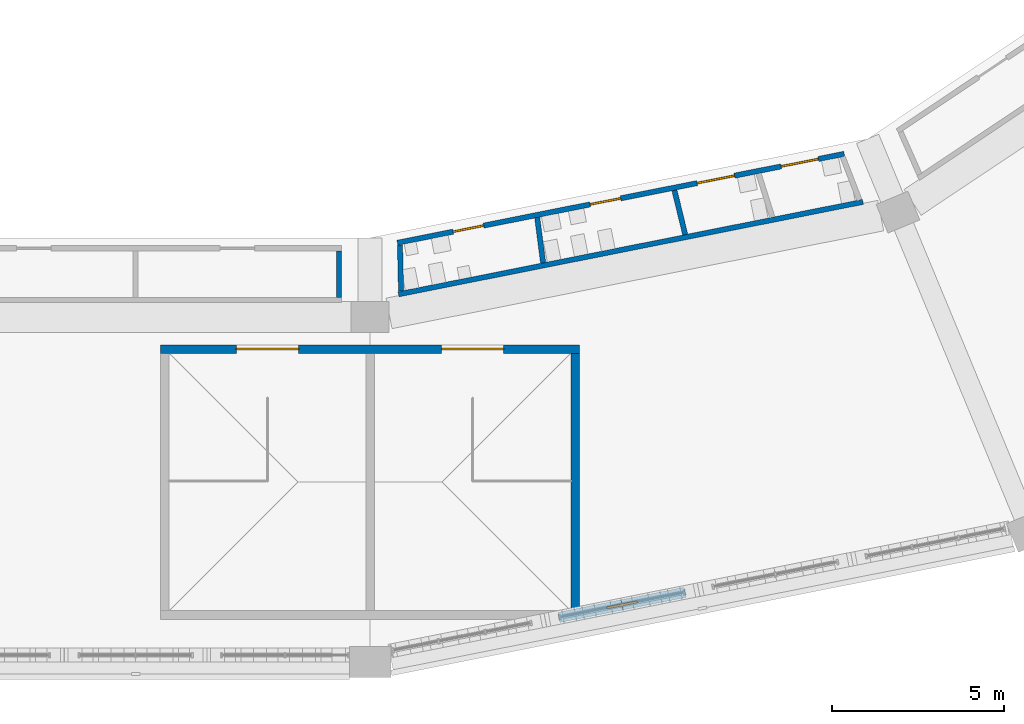
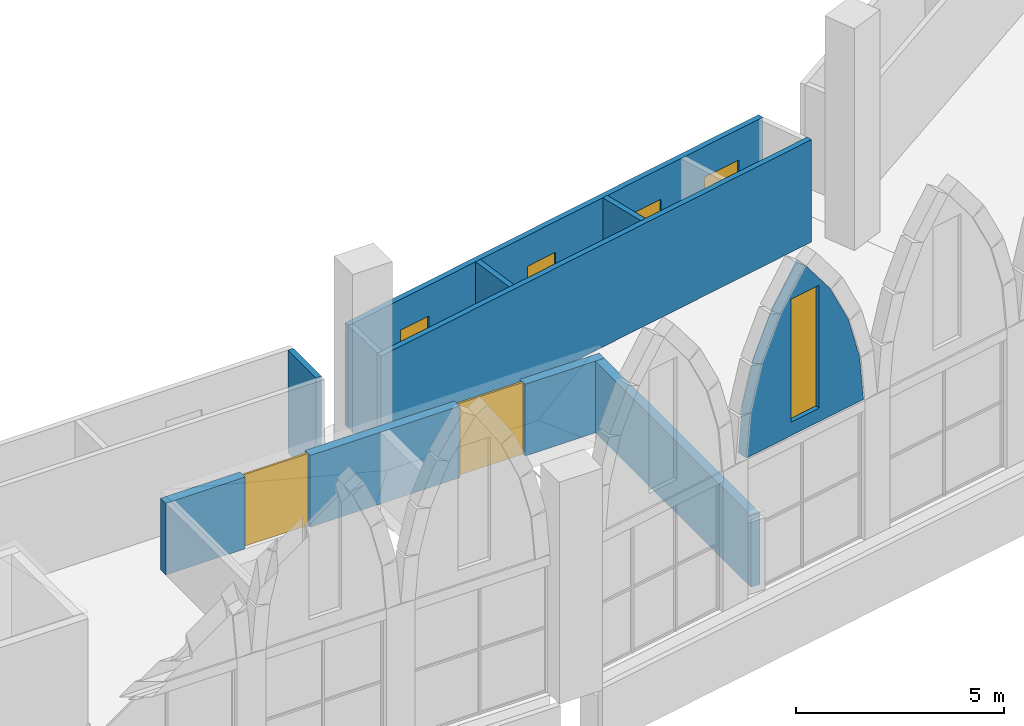
# One storey, part 69 of 130: 9 walls, 6 doors, 1 window, 7 openings.
"""IFC4 building model written with IfcOpenShell, lengths in metres."""

from ifc_helpers import new_model, si_unit, direction, frame, frame_2d, origin, place, context, subcontext, project, spatial, polyline, rectangle, outline, extrude, material, layer, layer_set, type_object, element, fill, save


model = new_model("IFC4")

# Units and contexts
model_context = context("Model", 3, precision=1e-05, world=origin(), true_north=direction((0.0, 1.0)))
body_context = subcontext(model_context, "Body", "Model", "MODEL_VIEW")
ifc_project = project(units=[si_unit("LENGTHUNIT", "METRE"), si_unit("AREAUNIT", "SQUARE_METRE"), si_unit("VOLUMEUNIT", "CUBIC_METRE"), si_unit("PLANEANGLEUNIT", "RADIAN"), si_unit("MASSUNIT", "GRAM", prefix="KILO")], contexts=[model_context])

# Site, building, storey
site_placement = place(None, origin())
site = spatial("IfcSite", under=ifc_project, at=site_placement, CompositionType="ELEMENT")
building_placement = place(site_placement, origin())
building = spatial("IfcBuilding", under=site, at=building_placement, Name="Ogive Plaza Stadium", CompositionType="ELEMENT")
storey_placement = place(building_placement, frame((0.0, 0.0, 22.5)))
storey = spatial("IfcBuildingStorey", under=building, at=storey_placement, Name="L05", CompositionType="ELEMENT", Elevation=22.5)

# Wall
ifc_material_1 = material(Name="Masonry blockwork", Category="masonry")
ifc_layer_1 = layer(ifc_material_1, 0.14990234375)
ifc_layer_set_1 = layer_set([ifc_layer_1], Name="Blockwork wall 150")
wall_type_1 = type_object("IfcWallType", Name="Blockwork wall 150", PredefinedType="SOLIDWALL", material=ifc_layer_set_1)
wall_1_placement = place(storey_placement, frame((33.10009765625, -90.574951171875, 0.0), z_axis=(0.0, 0.0, 1.0), x_axis=(0.0, -1.0, 0.0)))
element("IfcWall", 1, at=wall_1_placement, inside=storey, type_object=wall_type_1, Name="Wall L05 B12", PredefinedType="SOLIDWALL", context=body_context, shape_type="SweptSolid", body=[
    extrude(rectangle(XDim=1.35009765625, YDim=0.14990234375, at=frame_2d((0.675048828125, 0.0))), origin(), (0.0, 0.0, 1.0), 3.0),
])

# Wall, openings, doors
ifc_material_2 = material(Name="Concrete C40/50", Category="concrete")
ifc_layer_2 = layer(ifc_material_2, 0.25)
ifc_layer_set_2 = layer_set([ifc_layer_2], Name="Concrete C40/50")
wall_type_2 = type_object("IfcWallType", Name="Core wall 250", PredefinedType="SHEAR", material=ifc_layer_set_2)
wall_2_placement = place(storey_placement, frame((27.925048828125, -93.425048828125, 0.0), z_axis=(0.0, 0.0, 1.0), x_axis=(1.0, 0.0, 0.0)))
wall_2 = element("IfcWall", 2, at=wall_2_placement, inside=storey, type_object=wall_type_2, Name="Stair core R12 inner wall", PredefinedType="SHEAR", context=body_context, shape_type="SweptSolid", body=[
    extrude(rectangle(XDim=12.14990234375, YDim=0.25, at=frame_2d((6.074951171875, 0.0))), origin(), (0.0, 0.0, 1.0), 2.10009765625),
])
opening_1_placement = place(wall_2_placement, frame((2.199951171875, 0.0, 0.0)))
opening_1 = element("IfcOpeningElement", 3, at=opening_1_placement, cuts=wall_2, Name="Opening D0117", PredefinedType="OPENING", context=body_context, shape_type="SweptSolid", body=[
    extrude(rectangle(XDim=1.800048828125, YDim=2.10009765625, at=frame_2d((0.89990234375, 1.050048828125))), frame((0.0, 0.125, 0.0), z_axis=(0.0, -1.0, 0.0), x_axis=(1.0, 0.0, 0.0)), (0.0, 0.0, 1.0), 0.25),
])
opening_2_placement = place(wall_2_placement, frame((8.14990234375, 0.0, 0.0)))
opening_2 = element("IfcOpeningElement", 4, at=opening_2_placement, cuts=wall_2, Name="Opening D0118", PredefinedType="OPENING", context=body_context, shape_type="SweptSolid", body=[
    extrude(rectangle(XDim=1.800048828125, YDim=2.10009765625, at=frame_2d((0.89990234375, 1.050048828125))), frame((0.0, 0.125, 0.0), z_axis=(0.0, -1.0, 0.0), x_axis=(1.0, 0.0, 0.0)), (0.0, 0.0, 1.0), 0.25),
])
ifc_material_3 = material(Name="Steel ASTM A572 Grade 50", Category="steel")
door_type_1 = type_object("IfcDoorType", Name="Fire door FD90 pair 1800 x 2100", OperationType="DOUBLE_DOOR_SINGLE_SWING", PredefinedType="DOOR", material=ifc_material_3)
door_1_placement = place(opening_1_placement, origin())
door_1 = element("IfcDoor", 5, at=door_1_placement, inside=storey, type_object=door_type_1, Name="Exit stair R12A door L05", OperationType="DOUBLE_DOOR_SINGLE_SWING", OverallHeight=2.10009765625, OverallWidth=1.800048828125, PredefinedType="DOOR", context=body_context, shape_type="SweptSolid", body=[
    extrude(rectangle(XDim=1.800048828125, YDim=2.10009765625, at=frame_2d((0.89990234375, 1.050048828125))), frame((0.0, 0.02490234375, 0.0), z_axis=(0.0, -1.0, 0.0), x_axis=(1.0, 0.0, 0.0)), (0.0, 0.0, 1.0), 0.050048828125),
])
fill(opening_1, door_1)
door_2_placement = place(opening_2_placement, origin())
door_2 = element("IfcDoor", 6, at=door_2_placement, inside=storey, type_object=door_type_1, Name="Exit stair R12B door L05", OperationType="DOUBLE_DOOR_SINGLE_SWING", OverallHeight=2.10009765625, OverallWidth=1.800048828125, PredefinedType="DOOR", context=body_context, shape_type="SweptSolid", body=[
    extrude(rectangle(XDim=1.800048828125, YDim=2.10009765625, at=frame_2d((0.89990234375, 1.050048828125))), frame((0.0, 0.02490234375, 0.0), z_axis=(0.0, -1.0, 0.0), x_axis=(1.0, 0.0, 0.0)), (0.0, 0.0, 1.0), 0.050048828125),
])
fill(opening_2, door_2)

# Wall
wall_3_placement = place(storey_placement, frame((39.949951171875, -93.550048828125, 0.0), z_axis=(0.0, 0.0, 1.0), x_axis=(0.0, -1.0, 0.0)))
element("IfcWall", 7, at=wall_3_placement, inside=storey, type_object=wall_type_2, Name="Stair core R12 side wall", PredefinedType="SHEAR", context=body_context, shape_type="SweptSolid", body=[
    extrude(rectangle(XDim=7.4599609375, YDim=0.25, at=frame_2d((3.72998046875, 0.0))), origin(), (0.0, 0.0, 1.0), 2.10009765625),
])

# Wall, openings, doors
ifc_material_4 = material(Name="Gypsum board partition", Category="gypsum")
ifc_layer_3 = layer(ifc_material_4, 0.14990234375)
ifc_layer_set_3 = layer_set([ifc_layer_3], Name="Partition 150")
wall_type_3 = type_object("IfcWallType", Name="Partition 150", PredefinedType="PARTITIONING", material=ifc_layer_set_3)
wall_4_placement = place(storey_placement, frame((34.79345703125, -90.34228515625, 0.0), z_axis=(0.0, 0.0, 1.0), x_axis=(0.980782047358, 0.195106574927, 0.0)))
wall_4 = element("IfcWall", 8, at=wall_4_placement, inside=storey, type_object=wall_type_3, Name="Wall L05 B11", PredefinedType="PARTITIONING", context=body_context, shape_type="SweptSolid", body=[
    extrude(rectangle(XDim=13.208984375, YDim=0.14990234375, at=frame_2d((6.6044921875, 0.0))), origin(), (0.0, 0.0, 1.0), 3.0),
])
opening_3_placement = place(wall_4_placement, frame((1.648193359375, 0.0, 0.0)))
opening_3 = element("IfcOpeningElement", 9, at=opening_3_placement, cuts=wall_4, Name="Opening D0947", PredefinedType="OPENING", context=body_context, shape_type="SweptSolid", body=[
    extrude(rectangle(XDim=0.89990234375, YDim=2.10009765625, at=frame_2d((0.449951171875, 1.050048828125))), frame((0.0, 0.074951171875, 0.0), z_axis=(0.0, -1.0, 0.0), x_axis=(1.0, 0.0, 0.0)), (0.0, 0.0, 1.0), 0.14990234375),
])
opening_4_placement = place(wall_4_placement, frame((5.697265625, 0.0, 0.0)))
opening_4 = element("IfcOpeningElement", 10, at=opening_4_placement, cuts=wall_4, Name="Opening D0948", PredefinedType="OPENING", context=body_context, shape_type="SweptSolid", body=[
    extrude(rectangle(XDim=0.89990234375, YDim=2.10009765625, at=frame_2d((0.449951171875, 1.050048828125))), frame((0.0, 0.074951171875, 0.0), z_axis=(0.0, -1.0, 0.0), x_axis=(1.0, 0.0, 0.0)), (0.0, 0.0, 1.0), 0.14990234375),
])
opening_5_placement = place(wall_4_placement, frame((8.862548828125, 0.0, 0.0)))
opening_5 = element("IfcOpeningElement", 11, at=opening_5_placement, cuts=wall_4, Name="Opening D0949", PredefinedType="OPENING", context=body_context, shape_type="SweptSolid", body=[
    extrude(rectangle(XDim=1.10009765625, YDim=2.10009765625, at=frame_2d((0.550048828125, 1.050048828125))), frame((0.0, 0.074951171875, 0.0), z_axis=(0.0, -1.0, 0.0), x_axis=(1.0, 0.0, 0.0)), (0.0, 0.0, 1.0), 0.14990234375),
])
opening_6_placement = place(wall_4_placement, frame((11.344482421875, 0.0, 0.0)))
opening_6 = element("IfcOpeningElement", 12, at=opening_6_placement, cuts=wall_4, Name="Opening D0950", PredefinedType="OPENING", context=body_context, shape_type="SweptSolid", body=[
    extrude(rectangle(XDim=1.10009765625, YDim=2.10009765625, at=frame_2d((0.550048828125, 1.050048828125))), frame((0.0, 0.074951171875, 0.0), z_axis=(0.0, -1.0, 0.0), x_axis=(1.0, 0.0, 0.0)), (0.0, 0.0, 1.0), 0.14990234375),
])
ifc_material_5 = material(Name="Steel ASTM A572 Grade 50", Category="steel")
door_type_2 = type_object("IfcDoorType", Name="Accessible door 1100 x 2100", OperationType="SINGLE_SWING_LEFT", PredefinedType="DOOR", material=ifc_material_5)
door_3_placement = place(opening_5_placement, origin())
door_3 = element("IfcDoor", 13, at=door_3_placement, inside=storey, type_object=door_type_2, Name="Accessible WC B11 door", OperationType="SINGLE_SWING_LEFT", OverallHeight=2.10009765625, OverallWidth=1.10009765625, PredefinedType="DOOR", context=body_context, shape_type="SweptSolid", body=[
    extrude(rectangle(XDim=1.10009765625, YDim=2.10009765625, at=frame_2d((0.550048828125, 1.050048828125))), frame((0.0, 0.02490234375, 0.0), z_axis=(0.0, -1.0, 0.0), x_axis=(1.0, 0.0, 0.0)), (0.0, 0.0, 1.0), 0.050048828125),
])
fill(opening_5, door_3)
door_4_placement = place(opening_6_placement, origin())
door_4 = element("IfcDoor", 14, at=door_4_placement, inside=storey, type_object=door_type_2, Name="Family WC B11 door", OperationType="SINGLE_SWING_LEFT", OverallHeight=2.10009765625, OverallWidth=1.10009765625, PredefinedType="DOOR", context=body_context, shape_type="SweptSolid", body=[
    extrude(rectangle(XDim=1.10009765625, YDim=2.10009765625, at=frame_2d((0.550048828125, 1.050048828125))), frame((0.0, 0.02490234375, 0.0), z_axis=(0.0, -1.0, 0.0), x_axis=(1.0, 0.0, 0.0)), (0.0, 0.0, 1.0), 0.050048828125),
])
fill(opening_6, door_4)
ifc_material_6 = material(Name="Steel ASTM A572 Grade 50", Category="steel")
door_type_3 = type_object("IfcDoorType", Name="Door 900 x 2100", OperationType="SINGLE_SWING_LEFT", PredefinedType="DOOR", material=ifc_material_6)
door_5_placement = place(opening_3_placement, origin())
door_5 = element("IfcDoor", 15, at=door_5_placement, inside=storey, type_object=door_type_3, Name="Men's Toilet B11 door", OperationType="SINGLE_SWING_RIGHT", OverallHeight=2.10009765625, OverallWidth=0.89990234375, PredefinedType="DOOR", context=body_context, shape_type="SweptSolid", body=[
    extrude(rectangle(XDim=0.89990234375, YDim=2.10009765625, at=frame_2d((0.449951171875, 1.050048828125))), frame((0.0, 0.02490234375, 0.0), z_axis=(0.0, -1.0, 0.0), x_axis=(1.0, 0.0, 0.0)), (0.0, 0.0, 1.0), 0.050048828125),
])
fill(opening_3, door_5)
door_6_placement = place(opening_4_placement, origin())
door_6 = element("IfcDoor", 16, at=door_6_placement, inside=storey, type_object=door_type_3, Name="Women's Toilet B11 door", OperationType="SINGLE_SWING_LEFT", OverallHeight=2.10009765625, OverallWidth=0.89990234375, PredefinedType="DOOR", context=body_context, shape_type="SweptSolid", body=[
    extrude(rectangle(XDim=0.89990234375, YDim=2.10009765625, at=frame_2d((0.449951171875, 1.050048828125))), frame((0.0, 0.02490234375, 0.0), z_axis=(0.0, -1.0, 0.0), x_axis=(1.0, 0.0, 0.0)), (0.0, 0.0, 1.0), 0.050048828125),
])
fill(opening_4, door_6)

# Walls
wall_5_placement = place(storey_placement, frame((34.82470703125, -91.8359375, 0.0), z_axis=(0.0, 0.0, 1.0), x_axis=(0.980784624689, 0.195093618486, 0.0)))
element("IfcWall", 17, at=wall_5_placement, inside=storey, type_object=wall_type_3, Name="Wall L05 B11", PredefinedType="PARTITIONING", context=body_context, shape_type="SweptSolid", body=[
    extrude(rectangle(XDim=13.73046875, YDim=0.14990234375, at=frame_2d((6.865234375, 0.0))), origin(), (0.0, 0.0, 1.0), 3.0),
])
wall_6_placement = place(storey_placement, frame((34.867431640625, -90.402587890625, 0.0), z_axis=(0.0, 0.0, 1.0), x_axis=(0.022886445666, -0.999738070999, 0.0)))
element("IfcWall", 18, at=wall_6_placement, inside=storey, type_object=wall_type_3, Name="Wall L05 B11", PredefinedType="PARTITIONING", context=body_context, shape_type="SweptSolid", body=[
    extrude(rectangle(XDim=1.343994140625, YDim=0.14990234375, at=frame_2d((0.671875, 0.0))), origin(), (0.0, 0.0, 1.0), 3.0),
])
wall_7_placement = place(storey_placement, frame((38.846435546875, -89.611083984375, 0.0), z_axis=(0.0, 0.0, 1.0), x_axis=(0.12953583555, -0.991574741161, 0.0)))
element("IfcWall", 19, at=wall_7_placement, inside=storey, type_object=wall_type_3, Name="Wall L05 B11", PredefinedType="PARTITIONING", context=body_context, shape_type="SweptSolid", body=[
    extrude(rectangle(XDim=1.326904296875, YDim=0.14990234375, at=frame_2d((0.66357421875, 0.0))), origin(), (0.0, 0.0, 1.0), 3.0),
])
wall_8_placement = place(storey_placement, frame((42.82568359375, -88.819580078125, 0.0), z_axis=(0.0, 0.0, 1.0), x_axis=(0.236201131353, -0.971704186236, 0.0)))
element("IfcWall", 20, at=wall_8_placement, inside=storey, type_object=wall_type_3, Name="Wall L05 B11", PredefinedType="PARTITIONING", context=body_context, shape_type="SweptSolid", body=[
    extrude(rectangle(XDim=1.3251953125, YDim=0.14990234375, at=frame_2d((0.66259765625, 0.0))), origin(), (0.0, 0.0, 1.0), 3.0),
])

# Wall, opening, window
ifc_material_7 = material(Name="Concrete C45/55 precast", Category="concrete")
ifc_layer_4 = layer(ifc_material_7, 0.25)
ifc_material_8 = material(Name="Cast stone (reconstituted limestone)", Category="masonry")
ifc_layer_5 = layer(ifc_material_8, 0.050048828125)
ifc_layer_set_4 = layer_set([ifc_layer_4, ifc_layer_5], Name="Concrete C45/55 precast, cast stone facing")
wall_type_4 = type_object("IfcWallType", Name="Tympanum wall 300", PredefinedType="SOLIDWALL", material=ifc_layer_set_4)
wall_9_placement = place(storey_placement, frame((43.1357421875, -100.478759765625, 4.10009765625), z_axis=(0.0, 0.0, 1.0), x_axis=(-0.980783969686, -0.19509691132, 0.0)))
wall_9 = element("IfcWall", 21, at=wall_9_placement, inside=storey, type_object=wall_type_4, Name="TYMPANUM B11 3", PredefinedType="SOLIDWALL", context=body_context, shape_type="SweptSolid", body=[
    extrude(outline(polyline([(0.0, 0.0), (3.731689453125, 0.0), (3.731689453125, 0.0498046875), (3.60986328125, 1.309814453125), (3.248779296875, 2.574951171875), (2.66064453125, 3.751708984375), (1.86572265625, 4.7998046875), (1.07080078125, 3.751708984375), (0.48291015625, 2.574951171875), (0.121826171875, 1.309814453125), (0.0, 0.0498046875), (0.0, 0.0)])), frame((0.0, 0.14990234375, 0.0), z_axis=(0.0, -1.0, 0.0), x_axis=(1.0, 0.0, 0.0)), (0.0, 0.0, 1.0), 0.300048828125),
])
opening_7_placement = place(wall_9_placement, frame((1.415771484375, 0.0, 0.39990234375)))
opening_7 = element("IfcOpeningElement", 22, at=opening_7_placement, cuts=wall_9, Name="Opening W-11-3", PredefinedType="OPENING", context=body_context, shape_type="SweptSolid", body=[
    extrude(rectangle(XDim=0.89990234375, YDim=3.60009765625, at=frame_2d((0.449951171875, 1.800048828125))), frame((0.0, 0.16015625, 0.0), z_axis=(0.0, -1.0, 0.0), x_axis=(1.0, 0.0, 0.0)), (0.0, 0.0, 1.0), 0.320068359375),
])
ifc_material_9 = material(Name="Bronze-anodised aluminium and laminated glass", Category="aluminium")
window_type = type_object("IfcWindowType", Name="Lancet window 900 x 3600", PartitioningType="SINGLE_PANEL", PredefinedType="WINDOW", material=ifc_material_9)
window_placement = place(opening_7_placement, origin())
window = element("IfcWindow", 23, at=window_placement, inside=storey, type_object=window_type, Name="LANCET WINDOW B11 3", OverallHeight=3.60009765625, OverallWidth=0.89990234375, PartitioningType="SINGLE_PANEL", PredefinedType="WINDOW", context=body_context, shape_type="SweptSolid", body=[
    extrude(rectangle(XDim=0.89990234375, YDim=3.60009765625, at=frame_2d((0.449951171875, 1.800048828125))), frame((0.0, 0.030029296875, 0.0), z_axis=(0.0, -1.0, 0.0), x_axis=(1.0, 0.0, 0.0)), (0.0, 0.0, 1.0), 0.06005859375),
])
fill(opening_7, window)

save(model, "model.ifc")
